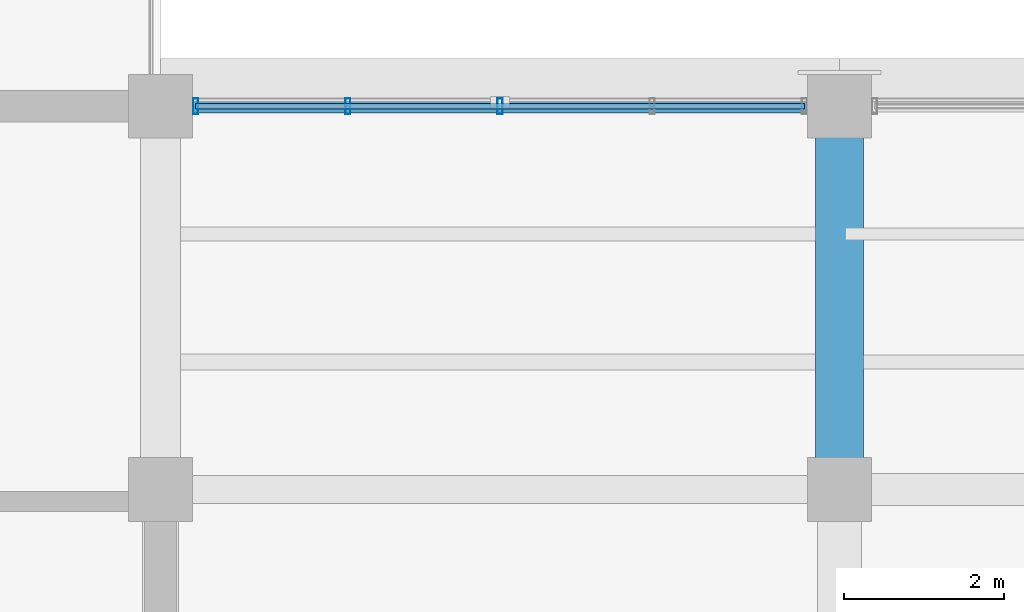
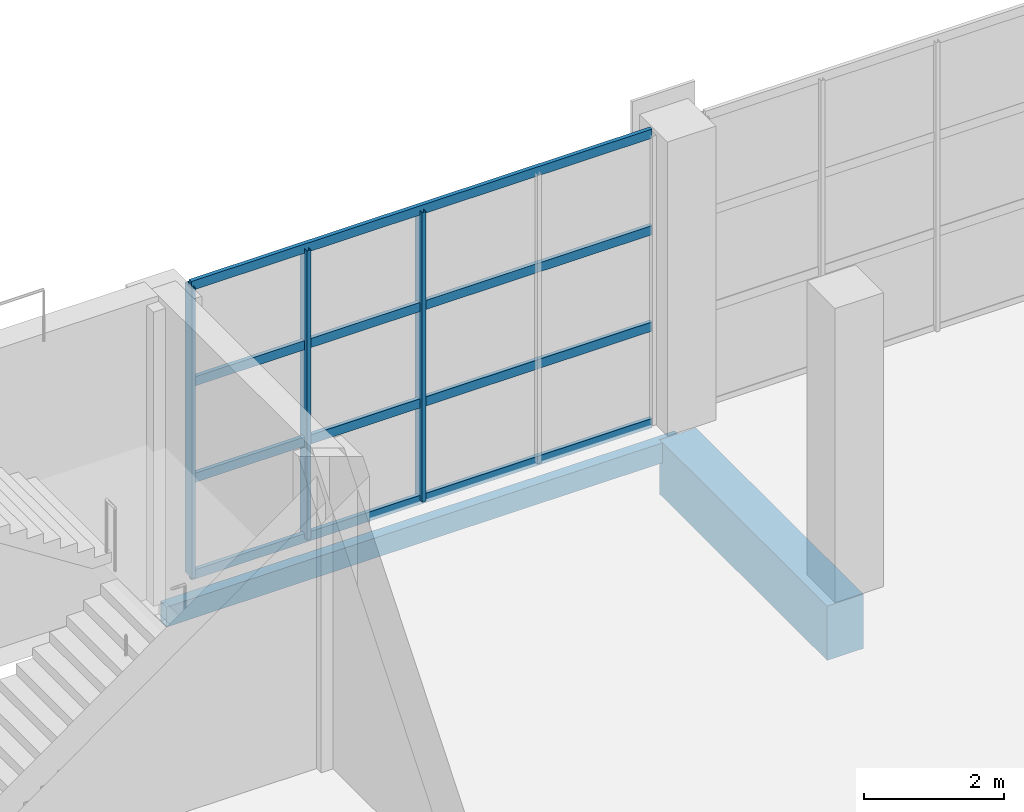
# One storey, part 12 of 90: 7 members, 2 beams, 1 element without a shape of its own.
"""IFC4 building model written with IfcOpenShell, lengths in metres."""

from ifc_helpers import new_model, si_unit, direction, frame, origin, origin_2d, place, context, subcontext, project, spatial, rectangle, hollow_rectangle, extrude, material, material_profile, profile_set, type_object, element, aggregate, save


model = new_model("IFC4")

# Units and contexts
model_context = context("Model", 3, precision=1e-05, world=origin(), true_north=direction((0.0, 1.0)))
body_context = subcontext(model_context, "Body", "Model", "MODEL_VIEW")
ifc_project = project(units=[si_unit("LENGTHUNIT", "METRE"), si_unit("AREAUNIT", "SQUARE_METRE"), si_unit("VOLUMEUNIT", "CUBIC_METRE"), si_unit("PLANEANGLEUNIT", "RADIAN"), si_unit("MASSUNIT", "GRAM", prefix="KILO")], contexts=[model_context])

# Site, building, storey
site_placement = place(None, origin())
site = spatial("IfcSite", under=ifc_project, at=site_placement, CompositionType="ELEMENT")
building_placement = place(site_placement, origin())
building = spatial("IfcBuilding", under=site, at=building_placement, Name="Solvikara Media Centre", CompositionType="ELEMENT")
storey_placement = place(building_placement, origin())
storey = spatial("IfcBuildingStorey", under=building, at=storey_placement, Name="L00", CompositionType="ELEMENT", Elevation=0.0)

# Beams
ifc_material_1 = material(Name="Concrete fc' 45 MPa (C45/55)", Category="concrete")
ifc_material_profile_1 = material_profile(ifc_material_1, rectangle(XDim=0.60009765625, YDim=0.949951171875, at=origin_2d()), Name="RC 600x950")
ifc_profile_set_1 = profile_set([ifc_material_profile_1], Name="Concrete fc' 45 MPa (C45/55)")
beam_type_1 = type_object("IfcBeamType", Name="BM-11", PredefinedType="BEAM", material=ifc_profile_set_1)
beam_1_placement = place(storey_placement, frame((51.0, 32.0, -0.81494140625), z_axis=(0.0, 1.0, 0.0), x_axis=(-1.0, 0.0, 0.0)))
element("IfcBeam", 1, at=beam_1_placement, inside=storey, type_object=beam_type_1, Name="B-L00-Y0167", PredefinedType="BEAM", context=body_context, shape_type="SweptSolid", body=[
    extrude(rectangle(XDim=0.60009765625, YDim=0.949951171875, at=origin_2d()), origin(), (0.0, 0.0, 1.0), 4.800048828125),
])
ifc_material_2 = material(Name="Steel S355JR", Category="steel")
ifc_material_profile_2 = material_profile(ifc_material_2, hollow_rectangle(XDim=0.175048828125, YDim=0.35009765625, WallThickness=0.010009765625, at=origin_2d()), Name="RHS 350x175x10")
ifc_profile_set_2 = profile_set([ifc_material_profile_2], Name="Steel S355JR")
beam_type_2 = type_object("IfcBeamType", Name="BM-34", PredefinedType="SPANDREL", material=ifc_profile_set_2)
beam_2_placement = place(storey_placement, frame((42.5, 36.800048828125, -0.51708984375), z_axis=(1.0, 0.0, 0.0), x_axis=(0.0, 1.0, 0.0)))
element("IfcBeam", 2, at=beam_2_placement, inside=storey, type_object=beam_type_2, Name="B-L00-X0052", PredefinedType="SPANDREL", context=body_context, shape_type="SweptSolid", body=[
    extrude(hollow_rectangle(XDim=0.175048828125, YDim=0.35009765625, WallThickness=0.010009765625, at=origin_2d()), origin(), (0.0, 0.0, 1.0), 8.5),
])

# Curtain wall, members
ifc_material_3 = material(Name="Anodised aluminium EN AW-6063", Category="aluminium")
curtain_wall_type = type_object("IfcCurtainWallType", Name="CW-03", PredefinedType="NOTDEFINED", material=ifc_material_3)
curtain_wall_placement = place(storey_placement, origin())
curtain_wall = element("IfcCurtainWall", 3, at=curtain_wall_placement, inside=storey, type_object=curtain_wall_type, Name="CW-L00-CAF-N1", PredefinedType="NOTDEFINED")
ifc_material_profile_3 = material_profile(ifc_material_3, hollow_rectangle(XDim=0.06494140625, YDim=0.199951171875, WallThickness=0.00390625, at=origin_2d()), Name="ALU-M 65x200x4")
ifc_profile_set_3 = profile_set([ifc_material_profile_3], Name="Anodised aluminium EN AW-6063")
member_type_1 = type_object("IfcMemberType", Name="MF-02", PredefinedType="MULLION", material=ifc_profile_set_3)
member_1_placement = place(storey_placement, frame((42.93994140625, 36.800048828125, 0.02001953125), z_axis=(0.0, 0.0, 1.0), x_axis=(1.0, 0.0, 0.0)))
member_1 = element("IfcMember", 4, at=member_1_placement, type_object=member_type_1, Name="CW-L00-CAF-N1-M00", PredefinedType="MULLION", context=body_context, shape_type="SweptSolid", body=[
    extrude(hollow_rectangle(XDim=0.06494140625, YDim=0.199951171875, WallThickness=0.00390625, at=origin_2d()), origin(), (0.0, 0.0, 1.0), 5.06005859375),
])
member_2_placement = place(storey_placement, frame((44.844970703125, 36.800048828125, 0.02001953125), z_axis=(0.0, 0.0, 1.0), x_axis=(1.0, 0.0, 0.0)))
member_2 = element("IfcMember", 5, at=member_2_placement, type_object=member_type_1, Name="CW-L00-CAF-N1-M01", PredefinedType="MULLION", context=body_context, shape_type="SweptSolid", body=[
    extrude(hollow_rectangle(XDim=0.06494140625, YDim=0.199951171875, WallThickness=0.00390625, at=origin_2d()), origin(), (0.0, 0.0, 1.0), 5.06005859375),
])
member_3_placement = place(storey_placement, frame((46.75, 36.800048828125, 0.02001953125), z_axis=(0.0, 0.0, 1.0), x_axis=(1.0, 0.0, 0.0)))
member_3 = element("IfcMember", 6, at=member_3_placement, type_object=member_type_1, Name="CW-L00-CAF-N1-M02", PredefinedType="MULLION", context=body_context, shape_type="SweptSolid", body=[
    extrude(hollow_rectangle(XDim=0.06494140625, YDim=0.199951171875, WallThickness=0.00390625, at=origin_2d()), origin(), (0.0, 0.0, 1.0), 5.06005859375),
])
ifc_material_profile_4 = material_profile(ifc_material_3, hollow_rectangle(XDim=0.06494140625, YDim=0.159912109375, WallThickness=0.00341796875, at=origin_2d()), Name="ALU-T 65x160x3.5")
ifc_profile_set_4 = profile_set([ifc_material_profile_4], Name="Anodised aluminium EN AW-6063")
member_type_2 = type_object("IfcMemberType", Name="MF-08", PredefinedType="USERDEFINED", material=ifc_profile_set_4)
member_4_placement = place(storey_placement, frame((42.93994140625, 36.800048828125, 0.02001953125), z_axis=(1.0, 0.0, 0.0), x_axis=(0.0, 1.0, 0.0)))
member_4 = element("IfcMember", 7, at=member_4_placement, type_object=member_type_2, Name="CW-L00-CAF-N1-T00", ObjectType="TRANSOM", PredefinedType="USERDEFINED", context=body_context, shape_type="SweptSolid", body=[
    extrude(hollow_rectangle(XDim=0.06494140625, YDim=0.159912109375, WallThickness=0.00341796875, at=origin_2d()), origin(), (0.0, 0.0, 1.0), 7.6201171875),
])
member_5_placement = place(storey_placement, frame((42.93994140625, 36.800048828125, 1.70703125), z_axis=(1.0, 0.0, 0.0), x_axis=(0.0, 1.0, 0.0)))
member_5 = element("IfcMember", 8, at=member_5_placement, type_object=member_type_2, Name="CW-L00-CAF-N1-T01", ObjectType="TRANSOM", PredefinedType="USERDEFINED", context=body_context, shape_type="SweptSolid", body=[
    extrude(hollow_rectangle(XDim=0.06494140625, YDim=0.159912109375, WallThickness=0.00341796875, at=origin_2d()), origin(), (0.0, 0.0, 1.0), 7.6201171875),
])
member_6_placement = place(storey_placement, frame((42.93994140625, 36.800048828125, 3.39306640625), z_axis=(1.0, 0.0, 0.0), x_axis=(0.0, 1.0, 0.0)))
member_6 = element("IfcMember", 9, at=member_6_placement, type_object=member_type_2, Name="CW-L00-CAF-N1-T02", ObjectType="TRANSOM", PredefinedType="USERDEFINED", context=body_context, shape_type="SweptSolid", body=[
    extrude(hollow_rectangle(XDim=0.06494140625, YDim=0.159912109375, WallThickness=0.00341796875, at=origin_2d()), origin(), (0.0, 0.0, 1.0), 7.6201171875),
])
member_7_placement = place(storey_placement, frame((42.93994140625, 36.800048828125, 5.080078125), z_axis=(1.0, 0.0, 0.0), x_axis=(0.0, 1.0, 0.0)))
member_7 = element("IfcMember", 10, at=member_7_placement, type_object=member_type_2, Name="CW-L00-CAF-N1-T03", ObjectType="TRANSOM", PredefinedType="USERDEFINED", context=body_context, shape_type="SweptSolid", body=[
    extrude(hollow_rectangle(XDim=0.06494140625, YDim=0.159912109375, WallThickness=0.00341796875, at=origin_2d()), origin(), (0.0, 0.0, 1.0), 7.6201171875),
])
aggregate(curtain_wall, [member_1, member_2, member_3, member_4, member_5, member_6, member_7])

save(model, "model.ifc")
